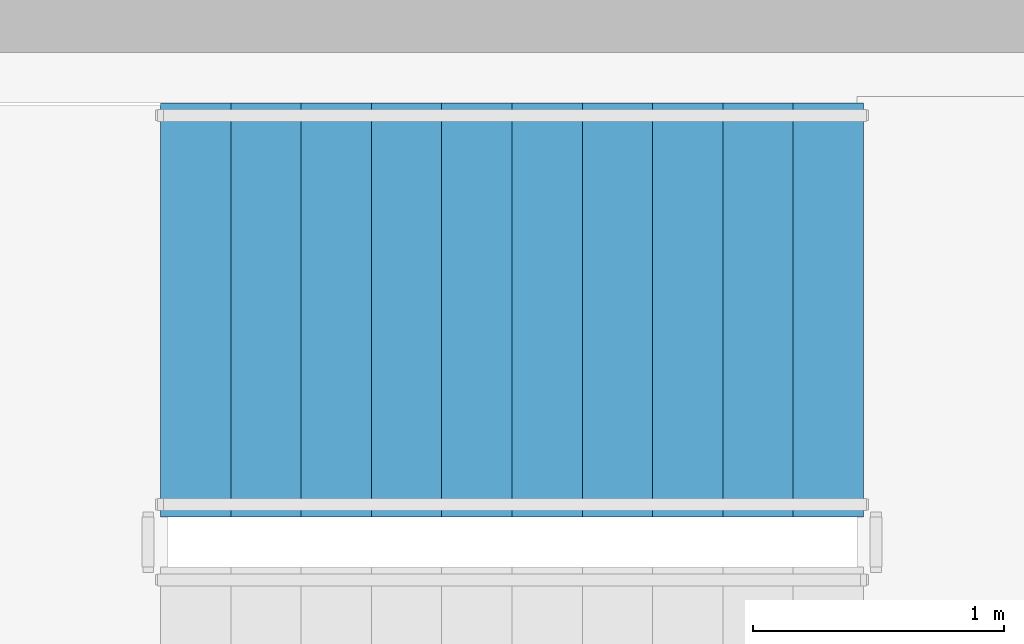
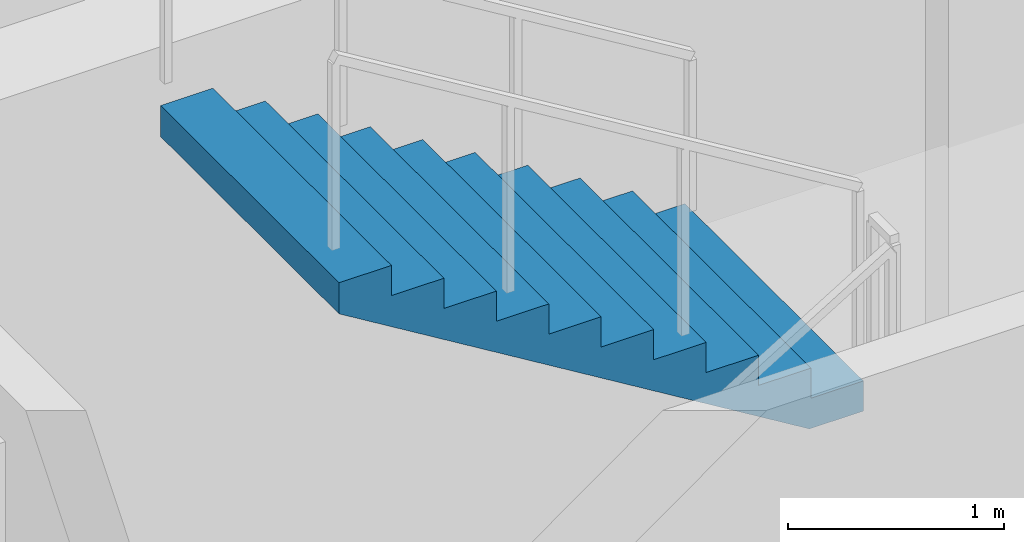
# One storey, part 24 of 29: 1 stair flight, 1 element without a shape of its own.
"""IFC4 building model written with IfcOpenShell, lengths in metres."""

from ifc_helpers import new_model, si_unit, direction, frame, origin, place, context, subcontext, project, spatial, polyline, outline, extrude, material, type_object, element, aggregate, save


model = new_model("IFC4")

# Units and contexts
model_context = context("Model", 3, precision=1e-05, world=origin(), true_north=direction((0.0, 1.0)))
body_context = subcontext(model_context, "Body", "Model", "MODEL_VIEW")
ifc_project = project(units=[si_unit("LENGTHUNIT", "METRE"), si_unit("AREAUNIT", "SQUARE_METRE"), si_unit("VOLUMEUNIT", "CUBIC_METRE"), si_unit("PLANEANGLEUNIT", "RADIAN"), si_unit("MASSUNIT", "GRAM", prefix="KILO")], contexts=[model_context])

# Site, building, storey
site_placement = place(None, origin())
site = spatial("IfcSite", under=ifc_project, at=site_placement, CompositionType="ELEMENT")
building_placement = place(site_placement, origin())
building = spatial("IfcBuilding", under=site, at=building_placement, Name="Haldenkirk Collegiate Tower", CompositionType="ELEMENT")
storey_placement = place(building_placement, frame((0.0, 0.0, 140.699951171875)))
storey = spatial("IfcBuildingStorey", under=building, at=storey_placement, Name="L34", CompositionType="ELEMENT", Elevation=140.699951171875)

# Stair, stair flight
ifc_material = material(Name="Concrete f'c 40 MPa", Category="concrete")
stair_type = type_object("IfcStairType", Name="STR-DOGLEG-1650", PredefinedType="HALF_TURN_STAIR", material=ifc_material)
stair_placement = place(storey_placement, origin())
stair = element("IfcStair", 1, at=stair_placement, inside=storey, type_object=stair_type, Name="L34 Core Exit Stair ST-3", PredefinedType="HALF_TURN_STAIR")
stair_flight_type = type_object("IfcStairFlightType", Name="STF-FLIGHT-1650", PredefinedType="STRAIGHT", material=ifc_material)
stair_flight_placement = place(storey_placement, frame((36.449951171875, 32.72509765625, 1.875), z_axis=(0.0, 0.0, 1.0), x_axis=(-1.0, 0.0, 0.0)))
stair_flight = element("IfcStairFlight", 2, at=stair_flight_placement, type_object=stair_flight_type, Name="ST-3 flight 2", NumberOfRisers=11, NumberOfTreads=10, PredefinedType="STRAIGHT", RiserHeight=0.170454545, TreadLength=0.28, context=body_context, shape_type="SweptSolid", body=[
    extrude(outline(polyline([(0.0, 0.0), (0.0, 0.17041015625), (0.280029296875, 0.17041015625), (0.280029296875, 0.3408203125), (0.56005859375, 0.3408203125), (0.56005859375, 0.511474609375), (0.840087890625, 0.511474609375), (0.840087890625, 0.681884765625), (1.1201171875, 0.681884765625), (1.1201171875, 0.852294921875), (1.39990234375, 0.852294921875), (1.39990234375, 1.022705078125), (1.679931640625, 1.022705078125), (1.679931640625, 1.193115234375), (1.9599609375, 1.193115234375), (1.9599609375, 1.363525390625), (2.239990234375, 1.363525390625), (2.239990234375, 1.5341796875), (2.52001953125, 1.5341796875), (2.52001953125, 1.70458984375), (2.800048828125, 1.70458984375), (2.800048828125, 1.875), (2.800048828125, 1.529052734375), (0.288330078125, 0.0), (0.0, 0.0)])), frame((0.0, 0.824951171875, 0.0), z_axis=(0.0, -1.0, 0.0), x_axis=(1.0, 0.0, 0.0)), (0.0, 0.0, 1.0), 1.64990234375),
])
aggregate(stair, [stair_flight])

save(model, "model.ifc")
